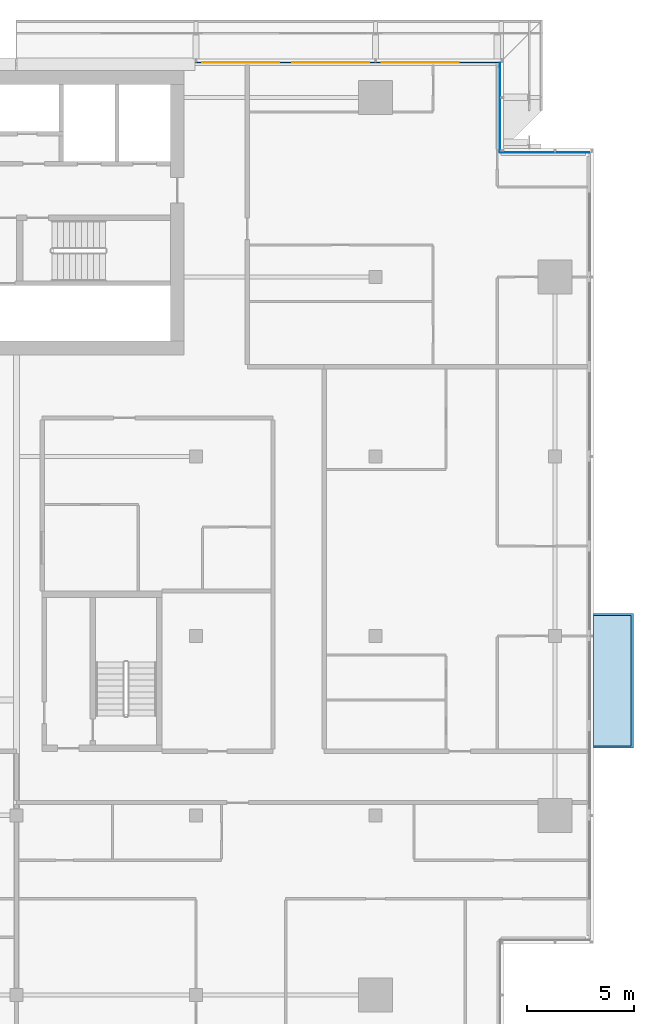
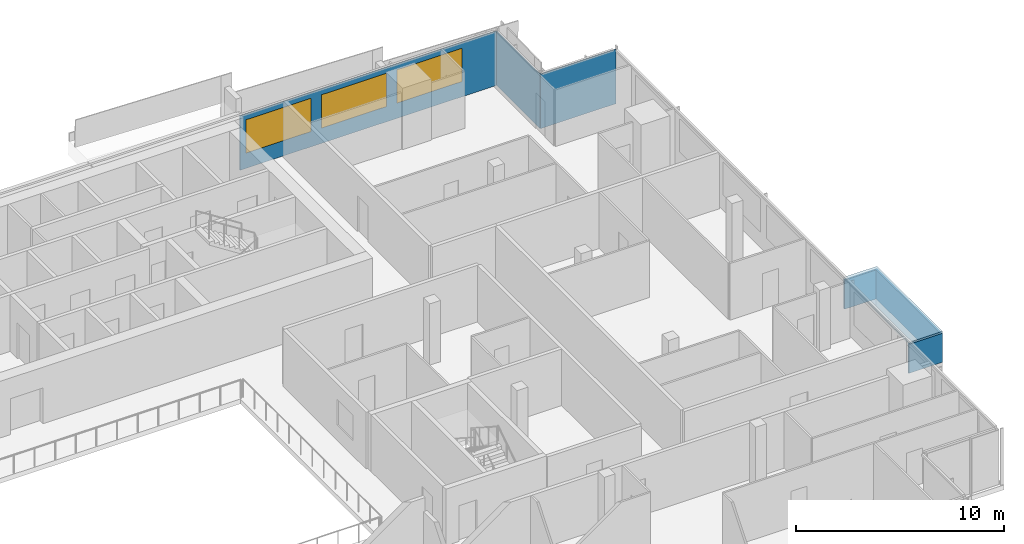
# One storey, part 16 of 29: 5 plates, 3 windows, 3 openings, 3 elements without a shape of their own.
"""IFC4 building model written with IfcOpenShell, lengths in metres."""

from ifc_helpers import new_model, si_unit, direction, frame, frame_2d, origin, place, context, subcontext, project, spatial, polyline, rectangle, outline, extrude, material, layer, layer_set, type_object, element, fill, aggregate, save


model = new_model("IFC4")

# Units and contexts
model_context = context("Model", 3, precision=1e-05, world=origin(), true_north=direction((0.0, 1.0)))
body_context = subcontext(model_context, "Body", "Model", "MODEL_VIEW")
ifc_project = project(units=[si_unit("LENGTHUNIT", "METRE"), si_unit("AREAUNIT", "SQUARE_METRE"), si_unit("VOLUMEUNIT", "CUBIC_METRE"), si_unit("PLANEANGLEUNIT", "RADIAN"), si_unit("MASSUNIT", "GRAM", prefix="KILO")], contexts=[model_context])

# Site, building, storey
site_placement = place(None, origin())
site = spatial("IfcSite", under=ifc_project, at=site_placement, CompositionType="ELEMENT")
building_placement = place(site_placement, origin())
building = spatial("IfcBuilding", under=site, at=building_placement, Name="Saffron Gate Tower", CompositionType="ELEMENT")
storey_placement = place(building_placement, frame((0.0, 0.0, 227.10009765625)))
storey = spatial("IfcBuildingStorey", under=building, at=storey_placement, Name="L55", CompositionType="ELEMENT", Elevation=227.10009765625)

# Curtain wall, plate, openings, windows
ifc_material_1 = material(Name="Aluminium, bronze anodised", Category="aluminium")
curtain_wall_type_1 = type_object("IfcCurtainWallType", Name="CWS3 curtain wall rear facade", PredefinedType="NOTDEFINED", material=ifc_material_1)
curtain_wall_1_placement = place(storey_placement, origin())
curtain_wall_1 = element("IfcCurtainWall", 1, at=curtain_wall_1_placement, inside=storey, type_object=curtain_wall_type_1, Name="CWS3 run 7", PredefinedType="NOTDEFINED")
ifc_material_2 = material(Name="Fritted grey-tinted laminated glass", Category="glass")
ifc_layer_1 = layer(ifc_material_2, 0.028076171875)
ifc_layer_set_1 = layer_set([ifc_layer_1], Name="CWS3 fixed glass")
plate_type_1 = type_object("IfcPlateType", Name="CWS3 fixed glass", PredefinedType="CURTAIN_PANEL", material=ifc_layer_set_1)
plate_1_placement = place(storey_placement, frame((122.81201171875, 75.426025390625, 0.0), z_axis=(0.0, 0.0, 1.0), x_axis=(-1.0, 0.0, 0.0)))
plate_1 = element("IfcPlate", 2, at=plate_1_placement, type_object=plate_type_1, Name="CWS3 glass panel", PredefinedType="CURTAIN_PANEL", context=body_context, shape_type="SweptSolid", body=[
    extrude(rectangle(XDim=14.2470703125, YDim=0.028076171875, at=frame_2d((7.12353515625, 0.0))), origin(), (0.0, 0.0, 1.0), 3.199951171875),
])
opening_1_placement = place(plate_1_placement, frame((1.912109375, 0.0, 0.89990234375)))
opening_1 = element("IfcOpeningElement", 3, at=opening_1_placement, cuts=plate_1, Name="Opening W1", PredefinedType="OPENING", context=body_context, shape_type="SweptSolid", body=[
    extrude(rectangle(XDim=3.60009765625, YDim=1.949951171875, at=frame_2d((1.800048828125, 0.97509765625))), frame((0.0, 0.02392578125, 0.0), z_axis=(0.0, -1.0, 0.0), x_axis=(1.0, 0.0, 0.0)), (0.0, 0.0, 1.0), 0.048095703125),
])
opening_2_placement = place(plate_1_placement, frame((6.112060546875, 0.0, 0.89990234375)))
opening_2 = element("IfcOpeningElement", 4, at=opening_2_placement, cuts=plate_1, Name="Opening W1", PredefinedType="OPENING", context=body_context, shape_type="SweptSolid", body=[
    extrude(rectangle(XDim=3.60009765625, YDim=1.949951171875, at=frame_2d((1.800048828125, 0.97509765625))), frame((0.0, 0.02392578125, 0.0), z_axis=(0.0, -1.0, 0.0), x_axis=(1.0, 0.0, 0.0)), (0.0, 0.0, 1.0), 0.048095703125),
])
opening_3_placement = place(plate_1_placement, frame((10.31201171875, 0.0, 0.89990234375)))
opening_3 = element("IfcOpeningElement", 5, at=opening_3_placement, cuts=plate_1, Name="Opening W1", PredefinedType="OPENING", context=body_context, shape_type="SweptSolid", body=[
    extrude(rectangle(XDim=3.60009765625, YDim=1.949951171875, at=frame_2d((1.800048828125, 0.97509765625))), frame((0.0, 0.02392578125, 0.0), z_axis=(0.0, -1.0, 0.0), x_axis=(1.0, 0.0, 0.0)), (0.0, 0.0, 1.0), 0.048095703125),
])
ifc_material_3 = material(Name="Fritted bronze-tinted laminated glass in bronze frame", Category="glass")
ifc_layer_2 = layer(ifc_material_3, 0.06005859375)
ifc_layer_set_2 = layer_set([ifc_layer_2], Name="W1 operable panel 3600x1950")
window_type = type_object("IfcWindowType", Name="W1 operable panel 3600x1950", PartitioningType="DOUBLE_PANEL_HORIZONTAL", PredefinedType="WINDOW", material=ifc_layer_set_2)
window_1_placement = place(opening_1_placement, origin())
window_1 = element("IfcWindow", 6, at=window_1_placement, type_object=window_type, Name="W1 operable panel", OverallHeight=1.949951171875, OverallWidth=3.60009765625, PartitioningType="SINGLE_PANEL", PredefinedType="WINDOW", context=body_context, shape_type="SweptSolid", body=[
    extrude(rectangle(XDim=3.60009765625, YDim=1.949951171875, at=frame_2d((1.800048828125, 0.97509765625))), frame((0.0, 0.013671875, 0.0), z_axis=(0.0, -1.0, 0.0), x_axis=(1.0, 0.0, 0.0)), (0.0, 0.0, 1.0), 0.027587890625),
])
fill(opening_1, window_1)
window_2_placement = place(opening_2_placement, origin())
window_2 = element("IfcWindow", 7, at=window_2_placement, type_object=window_type, Name="W1 operable panel", OverallHeight=1.949951171875, OverallWidth=3.60009765625, PartitioningType="SINGLE_PANEL", PredefinedType="WINDOW", context=body_context, shape_type="SweptSolid", body=[
    extrude(rectangle(XDim=3.60009765625, YDim=1.949951171875, at=frame_2d((1.800048828125, 0.97509765625))), frame((0.0, 0.013671875, 0.0), z_axis=(0.0, -1.0, 0.0), x_axis=(1.0, 0.0, 0.0)), (0.0, 0.0, 1.0), 0.027587890625),
])
fill(opening_2, window_2)
window_3_placement = place(opening_3_placement, origin())
window_3 = element("IfcWindow", 8, at=window_3_placement, type_object=window_type, Name="W1 operable panel", OverallHeight=1.949951171875, OverallWidth=3.60009765625, PartitioningType="SINGLE_PANEL", PredefinedType="WINDOW", context=body_context, shape_type="SweptSolid", body=[
    extrude(rectangle(XDim=3.60009765625, YDim=1.949951171875, at=frame_2d((1.800048828125, 0.97509765625))), frame((0.0, 0.013671875, 0.0), z_axis=(0.0, -1.0, 0.0), x_axis=(1.0, 0.0, 0.0)), (0.0, 0.0, 1.0), 0.027587890625),
])
fill(opening_3, window_3)
aggregate(curtain_wall_1, [plate_1, window_1, window_2, window_3])

# Curtain wall, plate
curtain_wall_type_2 = type_object("IfcCurtainWallType", Name="CWS4 curtain wall corner returns", PredefinedType="NOTDEFINED", material=ifc_material_1)
curtain_wall_2_placement = place(storey_placement, origin())
curtain_wall_2 = element("IfcCurtainWall", 9, at=curtain_wall_2_placement, inside=storey, type_object=curtain_wall_type_2, Name="CWS4 run 5", PredefinedType="NOTDEFINED")
ifc_material_4 = material(Name="Fritted bronze-tinted laminated glass", Category="glass")
ifc_layer_3 = layer(ifc_material_4, 0.028076171875)
ifc_layer_set_3 = layer_set([ifc_layer_3], Name="CWS4 fixed glass")
plate_type_2 = type_object("IfcPlateType", Name="CWS4 fixed glass", PredefinedType="CURTAIN_PANEL", material=ifc_layer_set_3)
plate_2_placement = place(storey_placement, frame((127.011962890625, 71.22607421875, 0.0), z_axis=(0.0, 0.0, 1.0), x_axis=(-1.0, 0.0, 0.0)))
plate_2 = element("IfcPlate", 10, at=plate_2_placement, type_object=plate_type_2, Name="CWS4 glass panel", PredefinedType="CURTAIN_PANEL", context=body_context, shape_type="SweptSolid", body=[
    extrude(rectangle(XDim=4.171875, YDim=0.028076171875, at=frame_2d((2.0859375, 0.0))), origin(), (0.0, 0.0, 1.0), 3.199951171875),
])
aggregate(curtain_wall_2, [plate_2])

curtain_wall_3_placement = place(storey_placement, origin())
curtain_wall_3 = element("IfcCurtainWall", 11, at=curtain_wall_3_placement, inside=storey, type_object=curtain_wall_type_2, Name="CWS4 run 6", PredefinedType="NOTDEFINED")
plate_3_placement = place(storey_placement, frame((122.825927734375, 71.239990234375, 0.0), z_axis=(0.0, 0.0, 1.0), x_axis=(0.0, 1.0, 0.0)))
plate_3 = element("IfcPlate", 12, at=plate_3_placement, type_object=plate_type_2, Name="CWS4 glass panel", PredefinedType="CURTAIN_PANEL", context=body_context, shape_type="SweptSolid", body=[
    extrude(rectangle(XDim=4.172119140625, YDim=0.028076171875, at=frame_2d((2.0859375, 0.0))), origin(), (0.0, 0.0, 1.0), 3.199951171875),
])
aggregate(curtain_wall_3, [plate_3])

# Plates
ifc_layer_4 = layer(ifc_material_1, 0.1201171875)
ifc_layer_set_4 = layer_set([ifc_layer_4], Name="WB2 box roof")
plate_type_3 = type_object("IfcPlateType", Name="WB2 box roof", PredefinedType="SHEET", material=ifc_layer_set_4)
plate_4_placement = place(storey_placement, frame((0.0, 0.0, 2.699951171875)))
element("IfcPlate", 13, at=plate_4_placement, inside=storey, type_object=plate_type_3, Name="WINDOW BOX roof", PredefinedType="SHEET", context=body_context, shape_type="SweptSolid", body=[
    extrude(outline(polyline([(127.199951171875, 43.35009765625), (127.199951171875, 49.64990234375), (129.06689453125, 49.64990234375), (129.06689453125, 43.35009765625), (127.199951171875, 43.35009765625)])), origin(), (0.0, 0.0, 1.0), 0.119873046875),
])
ifc_material_5 = material(Name="Clear low-iron laminated glass", Category="glass")
ifc_layer_5 = layer(ifc_material_5, 0.10009765625)
ifc_layer_set_5 = layer_set([ifc_layer_5], Name="WB6 box glazing")
plate_type_4 = type_object("IfcPlateType", Name="WB6 box glazing", PredefinedType="SHEET", material=ifc_layer_set_5)
plate_5_placement = place(storey_placement, frame((0.0, 0.0, 1.0)))
element("IfcPlate", 14, at=plate_5_placement, inside=storey, type_object=plate_type_4, Name="WINDOW BOX glazing", PredefinedType="SHEET", context=body_context, shape_type="SweptSolid", body=[
    extrude(outline(polyline([(127.199951171875, 43.35009765625), (127.199951171875, 43.449951171875), (128.967041015625, 43.449951171875), (128.967041015625, 49.550048828125), (127.199951171875, 49.550048828125), (127.199951171875, 49.64990234375), (129.06689453125, 49.64990234375), (129.06689453125, 43.35009765625), (127.199951171875, 43.35009765625)])), origin(), (0.0, 0.0, 1.0), 1.699951171875),
])

save(model, "model.ifc")
